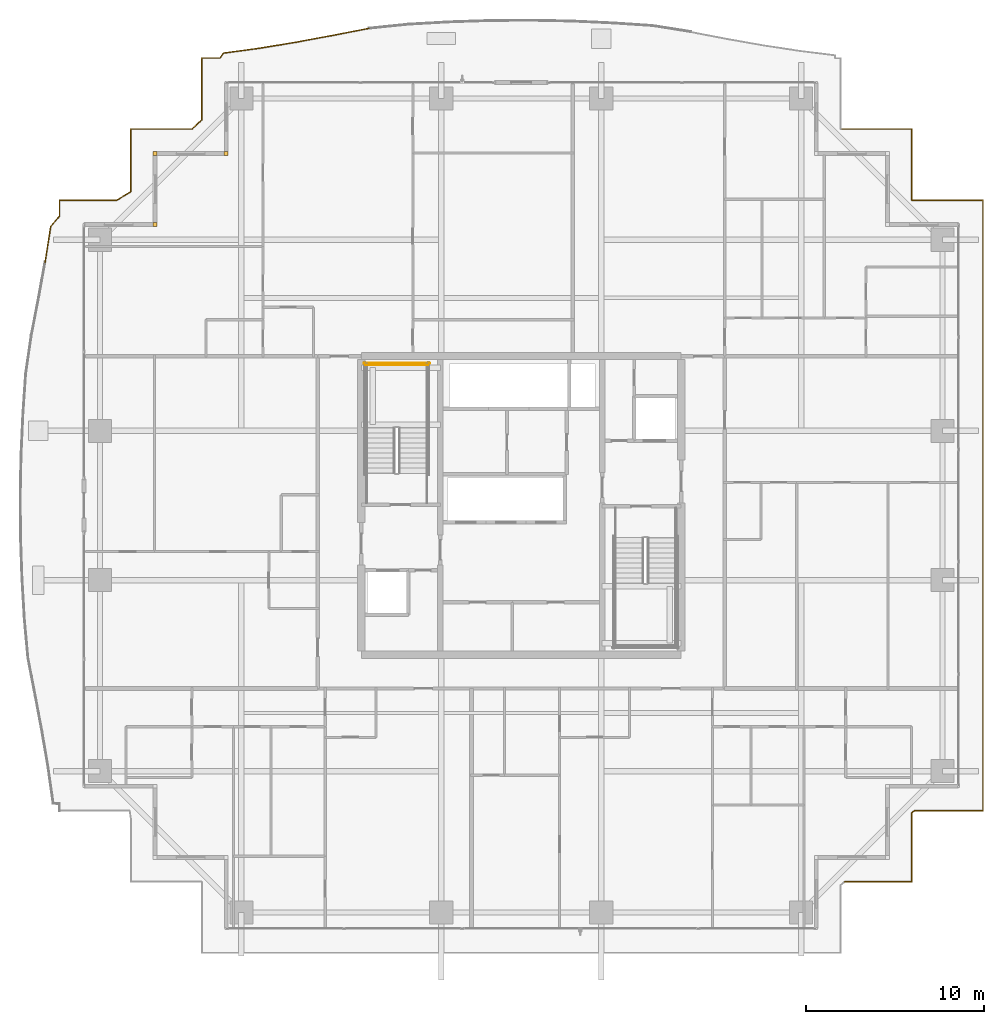
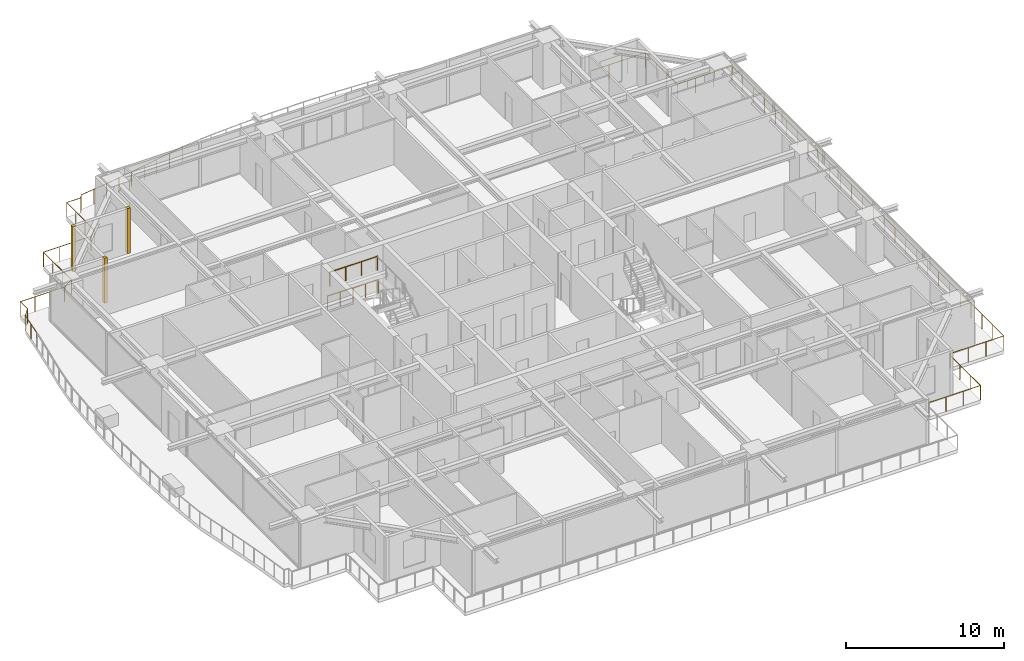
# One storey, part 38 of 39: 5 railings, 3 coverings.
"""IFC4 building model written with IfcOpenShell, lengths in metres."""

import ifcopenshell
import ifcopenshell.guid

model = None  # the IFC model being written
_history = None  # IfcOwnerHistory: only IFC2X3 demands one
_inside = {}  # id of a spatial element -> (the spatial element, [elements in it])
_under = {}  # id of a project, library or spatial element -> (it, [spatial elements below it])
_declared = {}  # id of a project -> (the project, [libraries it declares])
_typed = {}  # id of a type object -> (the type object, [elements of that type])
_made_of = {}  # id of a material, layer set ... -> (it, [elements and type objects made of it])


def new_model(schema):
    """Start an empty IFC model of exactly this schema.

    Asked for "IFC4X3", IfcOpenShell would pick the latest addendum, in which some entities
    have other attributes; the version numbers below select the first issue.
    IFC2X3 requires an IfcOwnerHistory on every rooted entity: one is made here for all.
    """
    global model, _history
    if schema == "IFC4X3":
        model = ifcopenshell.file(schema_version=(4, 3, 0, 0))
    else:
        model = ifcopenshell.file(schema=schema)
    _inside.clear()
    _under.clear()
    _declared.clear()
    _typed.clear()
    _made_of.clear()
    _history = None
    if model.schema == "IFC2X3":
        org = make("IfcOrganization", Name="unknown")
        user = make(
            "IfcPersonAndOrganization",
            ThePerson=make("IfcPerson", FamilyName="unknown"),
            TheOrganization=org,
        )
        app = make(
            "IfcApplication",
            ApplicationDeveloper=org,
            Version="unknown",
            ApplicationFullName="unknown",
            ApplicationIdentifier="unknown",
        )
        _history = make(
            "IfcOwnerHistory",
            OwningUser=user,
            OwningApplication=app,
            ChangeAction="ADDED",
            CreationDate=0,
        )
    return model


def make(cls, **values):
    """One entity of the class cls with the attributes given. An attribute that is None is left unset."""
    return model.create_entity(
        cls, **{name: value for name, value in values.items() if value is not None}
    )


def rooted(cls, **values):
    """An entity with a GlobalId (a new one), such as an element, a storey or a relation."""
    return make(cls, GlobalId=ifcopenshell.guid.new(), OwnerHistory=_history, **values)


def si_unit(unit_type, name, prefix=None):
    """IfcSIUnit, for example si_unit("LENGTHUNIT", "METRE", prefix="MILLI")."""
    return make("IfcSIUnit", UnitType=unit_type, Prefix=prefix, Name=name)


def assignment(units):
    """IfcUnitAssignment: the units of a project."""
    return None if units is None else make("IfcUnitAssignment", Units=units)


def point(xyz):
    """IfcCartesianPoint."""
    return None if xyz is None else make("IfcCartesianPoint", Coordinates=xyz)


def direction(xyz):
    """IfcDirection."""
    return None if xyz is None else make("IfcDirection", DirectionRatios=xyz)


def frame(location, z_axis=None, x_axis=None):
    """IfcAxis2Placement3D, a coordinate frame: its origin and axes. An axis left out is left unset."""
    return make(
        "IfcAxis2Placement3D",
        Location=point(location),
        Axis=direction(z_axis),
        RefDirection=direction(x_axis),
    )


def frame_2d(location, x_axis=None):
    """IfcAxis2Placement2D, a coordinate frame in the plane: its origin and x axis."""
    return make(
        "IfcAxis2Placement2D", Location=point(location), RefDirection=direction(x_axis)
    )


def origin():
    """The frame at (0, 0, 0) with its axes left unset."""
    return frame((0.0, 0.0, 0.0))


def origin_2d():
    """The frame at (0, 0) in the plane with its x axis left unset."""
    return frame_2d((0.0, 0.0))


def place(relative_to, where):
    """IfcLocalPlacement: puts the frame where relative to a parent placement (None: the world)."""
    return make(
        "IfcLocalPlacement", PlacementRelTo=relative_to, RelativePlacement=where
    )


def context(
    kind, dimensions, precision=None, world=None, true_north=None, identifier=None
):
    """IfcGeometricRepresentationContext, for example the 3D "Model" context."""
    return make(
        "IfcGeometricRepresentationContext",
        ContextIdentifier=identifier,
        ContextType=kind,
        CoordinateSpaceDimension=dimensions,
        Precision=precision,
        WorldCoordinateSystem=world,
        TrueNorth=true_north,
    )


def subcontext(parent, identifier, kind, view, scale=None):
    """IfcGeometricRepresentationSubContext, for example "Body" below "Model"."""
    return make(
        "IfcGeometricRepresentationSubContext",
        ContextIdentifier=identifier,
        ContextType=kind,
        ParentContext=parent,
        TargetScale=scale,
        TargetView=view,
    )


def project(units=None, contexts=None):
    """IfcProject with its units and contexts."""
    return rooted(
        "IfcProject",
        Name="project",
        RepresentationContexts=contexts,
        UnitsInContext=assignment(units),
    )


def spatial(cls, under=None, at=None, **own):
    """A site, building, storey or space (cls), placed at a placement, below another one or the project."""
    s = rooted(cls, ObjectPlacement=at, **own)
    if under is not None:
        _under.setdefault(under.id(), (under, []))[1].append(s)
    return s


def profile(cls, at=None, kind="AREA", **sizes):
    """A parametric profile (cls). Its sizes go by their IFC names, for example OverallWidth=200.0."""
    return make(cls, ProfileType=kind, Position=at, **sizes)


def rectangle(**sizes):
    """IfcRectangleProfileDef."""
    return profile("IfcRectangleProfileDef", **sizes)


def circle(**sizes):
    """IfcCircleProfileDef."""
    return profile("IfcCircleProfileDef", **sizes)


def extrude(swept, where, along, depth):
    """IfcExtrudedAreaSolid: the profile swept, set in the frame where, extruded along a direction by depth."""
    return make(
        "IfcExtrudedAreaSolid",
        SweptArea=swept,
        Position=where,
        ExtrudedDirection=direction(along),
        Depth=depth,
    )


def shape(context_of_items, identifier, shape_type, items):
    """IfcShapeRepresentation: the items that make up one representation, for example the "Body"."""
    return make(
        "IfcShapeRepresentation",
        ContextOfItems=context_of_items,
        RepresentationIdentifier=identifier,
        RepresentationType=shape_type,
        Items=items,
    )


def source(mapping_origin, context_of_items, identifier, shape_type, items):
    """IfcRepresentationMap: a shape defined once, which mapped items show again and again."""
    return make(
        "IfcRepresentationMap",
        MappingOrigin=mapping_origin,
        MappedRepresentation=shape(context_of_items, identifier, shape_type, items),
    )


def transform(
    local_origin,
    x_axis=None,
    y_axis=None,
    z_axis=None,
    scale=None,
    scale2=None,
    scale3=None,
    uniform=True,
):
    """IfcCartesianTransformationOperator3D, or its non-uniform kind. x_axis, y_axis, z_axis: its Axis1, 2, 3."""
    if uniform:
        return make(
            "IfcCartesianTransformationOperator3D",
            Axis1=direction(x_axis),
            Axis2=direction(y_axis),
            LocalOrigin=point(local_origin),
            Scale=scale,
            Axis3=direction(z_axis),
        )
    return make(
        "IfcCartesianTransformationOperator3DnonUniform",
        Axis1=direction(x_axis),
        Axis2=direction(y_axis),
        LocalOrigin=point(local_origin),
        Scale=scale,
        Axis3=direction(z_axis),
        Scale2=scale2,
        Scale3=scale3,
    )


def mapped(mapping_source, mapping_target):
    """IfcMappedItem: shows the shape of a source again, moved by a transform."""
    return make(
        "IfcMappedItem", MappingSource=mapping_source, MappingTarget=mapping_target
    )


def material(Name=None, Category=None):
    """IfcMaterial."""
    return make("IfcMaterial", Name=Name, Category=Category)


def layer(
    of_material, thickness, ventilated=None, Name=None, Category=None, Priority=None
):
    """IfcMaterialLayer: one layer of a wall or slab, of a material (None: an air gap)."""
    return make(
        "IfcMaterialLayer",
        Material=of_material,
        LayerThickness=thickness,
        IsVentilated=ventilated,
        Name=Name,
        Category=Category,
        Priority=Priority,
    )


def layer_set(layers, Name=None):
    """IfcMaterialLayerSet."""
    return make("IfcMaterialLayerSet", MaterialLayers=layers, LayerSetName=Name)


def made_of(thing, what):
    """Note that an element or type object is made of a material, layer set ...; save() writes the relation."""
    if what is not None:
        _made_of.setdefault(what.id(), (what, []))[1].append(thing)
    return thing


def type_object(cls, material=None, **own):
    """A type object (cls), such as IfcWallType, which elements share."""
    return made_of(rooted(cls, **own), material)


def element(
    cls,
    number,
    at=None,
    inside=None,
    cuts=None,
    type_object=None,
    material=None,
    context=None,
    identifier="Body",
    shape_type=None,
    held_by="IfcProductDefinitionShape",
    body=None,
    shapes=None,
    **own,
):
    """One element of the class cls, such as IfcWall. Its Tag is "e" and its number.

    at: its placement. inside: the storey or other place that contains it. cuts: it is an
    opening in that element (IfcRelVoidsElement). A single representation is given by context,
    identifier, shape_type and body (its items); several are given by shapes. held_by: the class
    of the entity that holds the representations. save() writes the other relations.
    """
    e = rooted(cls, Tag="e%d" % number, ObjectPlacement=at, **own)
    if body is not None:
        shapes = [shape(context, identifier, shape_type, body)]
    if shapes is not None:
        e.Representation = make(held_by, Representations=shapes)
    if inside is not None:
        _inside.setdefault(inside.id(), (inside, []))[1].append(e)
    if cuts is not None:
        rooted(
            "IfcRelVoidsElement", RelatingBuildingElement=cuts, RelatedOpeningElement=e
        )
    if type_object is not None:
        _typed.setdefault(type_object.id(), (type_object, []))[1].append(e)
    return made_of(e, material)


def aggregate(whole, parts):
    """IfcRelAggregates: a whole, such as a stair, and the parts it consists of."""
    return rooted("IfcRelAggregates", RelatingObject=whole, RelatedObjects=parts)


def save(model, path):
    """Write the relations noted so far, then the file.

    IfcRelAggregates (storeys below a building ...), IfcRelContainedInSpatialStructure (elements
    in a storey), IfcRelDefinesByType, IfcRelAssociatesMaterial and IfcRelDeclares: one each for
    every whole, place, type object, material and project.
    """
    for whole, parts in _under.values():
        aggregate(whole, parts)
    for where, things in _inside.values():
        rooted(
            "IfcRelContainedInSpatialStructure",
            RelatedElements=things,
            RelatingStructure=where,
        )
    for kind, things in _typed.values():
        rooted("IfcRelDefinesByType", RelatedObjects=things, RelatingType=kind)
    for what, things in _made_of.values():
        rooted("IfcRelAssociatesMaterial", RelatedObjects=things, RelatingMaterial=what)
    for by, libraries in _declared.values():
        rooted("IfcRelDeclares", RelatingContext=by, RelatedDefinitions=libraries)
    model.write(path)


model = new_model("IFC4")

# Units and contexts
model_context = context("Model", 3, precision=1e-05, world=origin(), true_north=direction((0.0, 1.0)))
body_context = subcontext(model_context, "Body", "Model", "MODEL_VIEW")
ifc_project = project(units=[si_unit("LENGTHUNIT", "METRE"), si_unit("AREAUNIT", "SQUARE_METRE"), si_unit("VOLUMEUNIT", "CUBIC_METRE"), si_unit("PLANEANGLEUNIT", "RADIAN"), si_unit("MASSUNIT", "GRAM", prefix="KILO")], contexts=[model_context])

# Site, building, storey
site_placement = place(None, origin())
site = spatial("IfcSite", under=ifc_project, at=site_placement, CompositionType="ELEMENT")
building_placement = place(site_placement, origin())
building = spatial("IfcBuilding", under=site, at=building_placement, Name="Serunith Strait Residences", CompositionType="ELEMENT")
storey_placement = place(building_placement, frame((0.0, 0.0, 168.89990234375)))
storey = spatial("IfcBuildingStorey", under=building, at=storey_placement, Name="L42", CompositionType="ELEMENT", Elevation=168.89990234375)

# Railings
ifc_material_1 = material(Name="Stainless Steel & Laminated Glass Balustrade", Category="steel")
railing_type_1 = type_object("IfcRailingType", Name="RLG-BALC-1150", PredefinedType="BALUSTRADE", material=ifc_material_1)
railing_1_placement = place(storey_placement, frame((5.609130859375, 38.885986328125, -0.0498046875)))
element("IfcRailing", 1, at=railing_1_placement, inside=storey, type_object=railing_type_1, Name="L42 Swirling Balcony Perimeter Balustrade 3", PredefinedType="BALUSTRADE", context=body_context, shape_type="SweptSolid", body=[
    extrude(circle(Radius=0.02392578125, at=origin_2d()), frame((0.000244140625, 0.001953125, 1.1259765625), z_axis=(0.155222771121, 0.987879492309, 0.0), x_axis=(-0.987879492309, 0.155222771121, 0.0)), (0.0, 0.0, 1.0), 2.02978515625),
    extrude(circle(Radius=0.02392578125, at=origin_2d()), frame((0.31689453125, 2.010498046875, 1.1259765625), z_axis=(0.650949961754, 0.759120640803, 0.0), x_axis=(-0.759120640803, 0.650949961754, 0.0)), (0.0, 0.0, 1.0), 0.756591796875),
    extrude(circle(Radius=0.02392578125, at=origin_2d()), frame((0.810791015625, 2.58837890625, 1.1259765625), z_axis=(0.0, 1.0, 0.0), x_axis=(-1.0, 0.0, 0.0)), (0.0, 0.0, 1.0), 0.903564453125),
    extrude(circle(Radius=0.02392578125, at=origin_2d()), frame((0.812744140625, 3.493896484375, 1.1259765625), z_axis=(1.0, 0.0, 0.0), x_axis=(0.0, 1.0, 0.0)), (0.0, 0.0, 1.0), 3.221435546875),
    extrude(circle(Radius=0.02392578125, at=origin_2d()), frame((4.037841796875, 3.494873046875, 1.1259765625), z_axis=(0.859137004539, 0.511745647204, 0.0), x_axis=(-0.511745647204, 0.859137004539, 0.0)), (0.0, 0.0, 1.0), 0.897705078125),
    extrude(circle(Radius=0.02392578125, at=origin_2d()), frame((4.810791015625, 3.957275390625, 1.1259765625), z_axis=(0.0, 1.0, 0.0), x_axis=(-1.0, 0.0, 0.0)), (0.0, 0.0, 1.0), 3.53466796875),
    extrude(circle(Radius=0.02392578125, at=origin_2d()), frame((4.812744140625, 7.493896484375, 1.1259765625), z_axis=(1.0, 0.0, 0.0), x_axis=(0.0, 1.0, 0.0)), (0.0, 0.0, 1.0), 3.460205078125),
    extrude(circle(Radius=0.02099609375, at=origin_2d()), origin(), (0.0, 0.0, 1.0), 1.099853515625),
    extrude(circle(Radius=0.02099609375, at=origin_2d()), frame((0.15771484375, 1.00439453125, 0.0)), (0.0, 0.0, 1.0), 1.099853515625),
    extrude(circle(Radius=0.02099609375, at=origin_2d()), frame((0.315673828125, 2.009033203125, 0.0)), (0.0, 0.0, 1.0), 1.099853515625),
    extrude(circle(Radius=0.02099609375, at=origin_2d()), frame((0.810791015625, 2.58642578125, 0.0)), (0.0, 0.0, 1.0), 1.099853515625),
    extrude(circle(Radius=0.02099609375, at=origin_2d()), frame((0.810791015625, 3.493896484375, 0.0)), (0.0, 0.0, 1.0), 1.099853515625),
    extrude(circle(Radius=0.02099609375, at=origin_2d()), frame((1.885986328125, 3.493896484375, 0.0)), (0.0, 0.0, 1.0), 1.099853515625),
    extrude(circle(Radius=0.02099609375, at=origin_2d()), frame((2.9609375, 3.493896484375, 0.0)), (0.0, 0.0, 1.0), 1.099853515625),
    extrude(circle(Radius=0.02099609375, at=origin_2d()), frame((4.0361328125, 3.493896484375, 0.0)), (0.0, 0.0, 1.0), 1.099853515625),
    extrude(circle(Radius=0.02099609375, at=origin_2d()), frame((4.810791015625, 3.955322265625, 0.0)), (0.0, 0.0, 1.0), 1.099853515625),
    extrude(circle(Radius=0.02099609375, at=origin_2d()), frame((4.810791015625, 5.134765625, 0.0)), (0.0, 0.0, 1.0), 1.099853515625),
    extrude(circle(Radius=0.02099609375, at=origin_2d()), frame((4.810791015625, 6.314453125, 0.0)), (0.0, 0.0, 1.0), 1.099853515625),
    extrude(circle(Radius=0.02099609375, at=origin_2d()), frame((4.810791015625, 7.493896484375, 0.0)), (0.0, 0.0, 1.0), 1.099853515625),
    extrude(circle(Radius=0.02099609375, at=origin_2d()), frame((5.965576171875, 7.493896484375, 0.0)), (0.0, 0.0, 1.0), 1.099853515625),
    extrude(circle(Radius=0.02099609375, at=origin_2d()), frame((7.1201171875, 7.493896484375, 0.0)), (0.0, 0.0, 1.0), 1.099853515625),
    extrude(circle(Radius=0.02099609375, at=origin_2d()), frame((8.27490234375, 7.493896484375, 0.0)), (0.0, 0.0, 1.0), 1.099853515625),
])
railing_2_placement = place(storey_placement, frame((13.884033203125, 46.3798828125, -0.0498046875)))
element("IfcRailing", 2, at=railing_2_placement, inside=storey, type_object=railing_type_1, Name="L42 Swirling Balcony Perimeter Balustrade 4", PredefinedType="BALUSTRADE", context=body_context, shape_type="SweptSolid", body=[
    extrude(circle(Radius=0.02392578125, at=origin_2d()), frame((0.00146484375, 0.00146484375, 1.1259765625), z_axis=(0.721748617989, 0.692155280577, 0.0), x_axis=(-0.692155280577, 0.721748617989, 0.0)), (0.0, 0.0, 1.0), 0.738525390625),
    extrude(circle(Radius=0.02392578125, at=origin_2d()), frame((0.535888671875, 0.515869140625, 1.1259765625), z_axis=(0.0, 1.0, 0.0), x_axis=(-1.0, 0.0, 0.0)), (0.0, 0.0, 1.0), 3.482177734375),
    extrude(circle(Radius=0.02392578125, at=origin_2d()), frame((0.537841796875, 4.0, 1.1259765625), z_axis=(1.0, 0.0, 0.0), x_axis=(0.0, 1.0, 0.0)), (0.0, 0.0, 1.0), 1.028564453125),
    extrude(circle(Radius=0.02392578125, at=origin_2d()), frame((1.569580078125, 4.001708984375, 1.1259765625), z_axis=(0.583107622674, 0.812394916515, 0.0), x_axis=(-0.812394916515, 0.583107622674, 0.0)), (0.0, 0.0, 1.0), 0.329345703125),
    extrude(circle(Radius=0.02392578125, at=origin_2d()), frame((1.7646484375, 4.27099609375, 1.1259765625), z_axis=(0.990799230666, 0.135339885146, 0.0), x_axis=(-0.135339885146, 0.990799230666, 0.0)), (0.0, 0.0, 1.0), 2.0146484375),
    extrude(circle(Radius=0.02392578125, at=origin_2d()), frame((3.7646484375, 4.544189453125, 1.1259765625), z_axis=(0.986848278666, 0.161649234129, 0.0), x_axis=(-0.161649234129, 0.986848278666, 0.0)), (0.0, 0.0, 1.0), 2.041015625),
    extrude(circle(Radius=0.02392578125, at=origin_2d()), frame((5.78271484375, 4.874755859375, 1.1259765625), z_axis=(0.983281229933, 0.18209344541, 0.0), x_axis=(-0.18209344541, 0.983281229933, 0.0)), (0.0, 0.0, 1.0), 2.0849609375),
    extrude(circle(Radius=0.02392578125, at=origin_2d()), frame((7.836669921875, 5.25537109375, 1.1259765625), z_axis=(0.981899315337, 0.189403628635, 0.0), x_axis=(-0.189403628635, 0.981899315337, 0.0)), (0.0, 0.0, 1.0), 2.144775390625),
    extrude(circle(Radius=0.02099609375, at=origin_2d()), origin(), (0.0, 0.0, 1.0), 1.099853515625),
    extrude(circle(Radius=0.02099609375, at=origin_2d()), frame((0.535888671875, 0.513916015625, 0.0)), (0.0, 0.0, 1.0), 1.099853515625),
    extrude(circle(Radius=0.02099609375, at=origin_2d()), frame((0.535888671875, 1.676025390625, 0.0)), (0.0, 0.0, 1.0), 1.099853515625),
    extrude(circle(Radius=0.02099609375, at=origin_2d()), frame((0.535888671875, 2.837890625, 0.0)), (0.0, 0.0, 1.0), 1.099853515625),
    extrude(circle(Radius=0.02099609375, at=origin_2d()), frame((0.535888671875, 4.0, 0.0)), (0.0, 0.0, 1.0), 1.099853515625),
    extrude(circle(Radius=0.02099609375, at=origin_2d()), frame((1.568359375, 4.0, 0.0)), (0.0, 0.0, 1.0), 1.099853515625),
    extrude(circle(Radius=0.02099609375, at=origin_2d()), frame((1.7626953125, 4.270751953125, 0.0)), (0.0, 0.0, 1.0), 1.099853515625),
    extrude(circle(Radius=0.02099609375, at=origin_2d()), frame((2.7626953125, 4.4072265625, 0.0)), (0.0, 0.0, 1.0), 1.099853515625),
    extrude(circle(Radius=0.02099609375, at=origin_2d()), frame((3.7626953125, 4.5439453125, 0.0)), (0.0, 0.0, 1.0), 1.099853515625),
    extrude(circle(Radius=0.02099609375, at=origin_2d()), frame((4.771728515625, 4.709228515625, 0.0)), (0.0, 0.0, 1.0), 1.099853515625),
    extrude(circle(Radius=0.02099609375, at=origin_2d()), frame((5.78076171875, 4.87451171875, 0.0)), (0.0, 0.0, 1.0), 1.099853515625),
    extrude(circle(Radius=0.02099609375, at=origin_2d()), frame((6.8076171875, 5.064697265625, 0.0)), (0.0, 0.0, 1.0), 1.099853515625),
    extrude(circle(Radius=0.02099609375, at=origin_2d()), frame((7.834716796875, 5.2548828125, 0.0)), (0.0, 0.0, 1.0), 1.099853515625),
    extrude(circle(Radius=0.02099609375, at=origin_2d()), frame((8.8896484375, 5.45849609375, 0.0)), (0.0, 0.0, 1.0), 1.099853515625),
    extrude(circle(Radius=0.02099609375, at=origin_2d()), frame((9.944580078125, 5.661865234375, 0.0)), (0.0, 0.0, 1.0), 1.099853515625),
])
railing_3_placement = place(storey_placement, frame((50.3798828125, 46.3798828125, -0.0498046875)))
element("IfcRailing", 3, at=railing_3_placement, inside=storey, type_object=railing_type_1, Name="L42 Swirling Balcony Perimeter Balustrade 7", PredefinedType="BALUSTRADE", context=body_context, shape_type="SweptSolid", body=[
    extrude(circle(Radius=0.02392578125, at=origin_2d()), frame((0.001953125, 0.0, 1.1259765625), z_axis=(1.0, 0.0, 0.0), x_axis=(0.0, 1.0, 0.0)), (0.0, 0.0, 1.0), 3.99609375),
    extrude(circle(Radius=0.02392578125, at=origin_2d()), frame((4.0, -0.001953125, 1.1259765625), z_axis=(0.0, -1.0, 0.0), x_axis=(1.0, 0.0, 0.0)), (0.0, 0.0, 1.0), 3.99609375),
    extrude(circle(Radius=0.02392578125, at=origin_2d()), frame((4.001953125, -4.0, 1.1259765625), z_axis=(1.0, 0.0, 0.0), x_axis=(0.0, 1.0, 0.0)), (0.0, 0.0, 1.0), 3.99609375),
    extrude(circle(Radius=0.02392578125, at=origin_2d()), frame((8.0, -4.001953125, 1.1259765625), z_axis=(0.0, -1.0, 0.0), x_axis=(1.0, 0.0, 0.0)), (0.0, 0.0, 1.0), 34.35595703125),
    extrude(circle(Radius=0.02392578125, at=origin_2d()), frame((7.998046875, -38.35986328125, 1.1259765625), z_axis=(-1.0, 0.0, 0.0), x_axis=(0.0, -1.0, 0.0)), (0.0, 0.0, 1.0), 3.86083984375),
    extrude(circle(Radius=0.02392578125, at=origin_2d()), frame((4.133544921875, -38.361083984375, 1.1259765625), z_axis=(-0.809367380782, -0.587302684249, 0.0), x_axis=(0.587302684249, -0.809367380782, 0.0)), (0.0, 0.0, 1.0), 0.1630859375),
    extrude(circle(Radius=0.02392578125, at=origin_2d()), frame((4.0, -38.4599609375, 1.1259765625), z_axis=(0.0, -1.0, 0.0), x_axis=(1.0, 0.0, 0.0)), (0.0, 0.0, 1.0), 3.89794921875),
    extrude(circle(Radius=0.02392578125, at=origin_2d()), frame((3.998046875, -42.35986328125, 1.1259765625), z_axis=(-1.0, 0.0, 0.0), x_axis=(0.0, -1.0, 0.0)), (0.0, 0.0, 1.0), 3.774169921875),
    extrude(circle(Radius=0.02099609375, at=origin_2d()), origin(), (0.0, 0.0, 1.0), 1.099853515625),
    extrude(circle(Radius=0.02099609375, at=origin_2d()), frame((1.333251953125, 0.0, 0.0)), (0.0, 0.0, 1.0), 1.099853515625),
    extrude(circle(Radius=0.02099609375, at=origin_2d()), frame((2.666748046875, 0.0, 0.0)), (0.0, 0.0, 1.0), 1.099853515625),
    extrude(circle(Radius=0.02099609375, at=origin_2d()), frame((4.0, 0.0, 0.0)), (0.0, 0.0, 1.0), 1.099853515625),
    extrude(circle(Radius=0.02099609375, at=origin_2d()), frame((4.0, -1.333251953125, 0.0)), (0.0, 0.0, 1.0), 1.099853515625),
    extrude(circle(Radius=0.02099609375, at=origin_2d()), frame((4.0, -2.666748046875, 0.0)), (0.0, 0.0, 1.0), 1.099853515625),
    extrude(circle(Radius=0.02099609375, at=origin_2d()), frame((4.0, -4.0, 0.0)), (0.0, 0.0, 1.0), 1.099853515625),
    extrude(circle(Radius=0.02099609375, at=origin_2d()), frame((5.333251953125, -4.0, 0.0)), (0.0, 0.0, 1.0), 1.099853515625),
    extrude(circle(Radius=0.02099609375, at=origin_2d()), frame((6.666748046875, -4.0, 0.0)), (0.0, 0.0, 1.0), 1.099853515625),
    extrude(circle(Radius=0.02099609375, at=origin_2d()), frame((8.0, -4.0, 0.0)), (0.0, 0.0, 1.0), 1.099853515625),
    extrude(circle(Radius=0.02099609375, at=origin_2d()), frame((8.0, -5.37451171875, 0.0)), (0.0, 0.0, 1.0), 1.099853515625),
    extrude(circle(Radius=0.02099609375, at=origin_2d()), frame((8.0, -6.748779296875, 0.0)), (0.0, 0.0, 1.0), 1.099853515625),
    extrude(circle(Radius=0.02099609375, at=origin_2d()), frame((8.0, -8.123291015625, 0.0)), (0.0, 0.0, 1.0), 1.099853515625),
    extrude(circle(Radius=0.02099609375, at=origin_2d()), frame((8.0, -9.49755859375, 0.0)), (0.0, 0.0, 1.0), 1.099853515625),
    extrude(circle(Radius=0.02099609375, at=origin_2d()), frame((8.0, -10.8720703125, 0.0)), (0.0, 0.0, 1.0), 1.099853515625),
    extrude(circle(Radius=0.02099609375, at=origin_2d()), frame((8.0, -12.246337890625, 0.0)), (0.0, 0.0, 1.0), 1.099853515625),
    extrude(circle(Radius=0.02099609375, at=origin_2d()), frame((8.0, -13.620849609375, 0.0)), (0.0, 0.0, 1.0), 1.099853515625),
    extrude(circle(Radius=0.02099609375, at=origin_2d()), frame((8.0, -14.9951171875, 0.0)), (0.0, 0.0, 1.0), 1.099853515625),
    extrude(circle(Radius=0.02099609375, at=origin_2d()), frame((8.0, -16.36962890625, 0.0)), (0.0, 0.0, 1.0), 1.099853515625),
    extrude(circle(Radius=0.02099609375, at=origin_2d()), frame((8.0, -17.743896484375, 0.0)), (0.0, 0.0, 1.0), 1.099853515625),
    extrude(circle(Radius=0.02099609375, at=origin_2d()), frame((8.0, -19.118408203125, 0.0)), (0.0, 0.0, 1.0), 1.099853515625),
    extrude(circle(Radius=0.02099609375, at=origin_2d()), frame((8.0, -20.49267578125, 0.0)), (0.0, 0.0, 1.0), 1.099853515625),
    extrude(circle(Radius=0.02099609375, at=origin_2d()), frame((8.0, -21.8671875, 0.0)), (0.0, 0.0, 1.0), 1.099853515625),
    extrude(circle(Radius=0.02099609375, at=origin_2d()), frame((8.0, -23.241455078125, 0.0)), (0.0, 0.0, 1.0), 1.099853515625),
    extrude(circle(Radius=0.02099609375, at=origin_2d()), frame((8.0, -24.615966796875, 0.0)), (0.0, 0.0, 1.0), 1.099853515625),
    extrude(circle(Radius=0.02099609375, at=origin_2d()), frame((8.0, -25.990234375, 0.0)), (0.0, 0.0, 1.0), 1.099853515625),
    extrude(circle(Radius=0.02099609375, at=origin_2d()), frame((8.0, -27.36474609375, 0.0)), (0.0, 0.0, 1.0), 1.099853515625),
    extrude(circle(Radius=0.02099609375, at=origin_2d()), frame((8.0, -28.739013671875, 0.0)), (0.0, 0.0, 1.0), 1.099853515625),
    extrude(circle(Radius=0.02099609375, at=origin_2d()), frame((8.0, -30.113525390625, 0.0)), (0.0, 0.0, 1.0), 1.099853515625),
    extrude(circle(Radius=0.02099609375, at=origin_2d()), frame((8.0, -31.48779296875, 0.0)), (0.0, 0.0, 1.0), 1.099853515625),
    extrude(circle(Radius=0.02099609375, at=origin_2d()), frame((8.0, -32.8623046875, 0.0)), (0.0, 0.0, 1.0), 1.099853515625),
    extrude(circle(Radius=0.02099609375, at=origin_2d()), frame((8.0, -34.236572265625, 0.0)), (0.0, 0.0, 1.0), 1.099853515625),
    extrude(circle(Radius=0.02099609375, at=origin_2d()), frame((8.0, -35.611083984375, 0.0)), (0.0, 0.0, 1.0), 1.099853515625),
    extrude(circle(Radius=0.02099609375, at=origin_2d()), frame((8.0, -36.9853515625, 0.0)), (0.0, 0.0, 1.0), 1.099853515625),
    extrude(circle(Radius=0.02099609375, at=origin_2d()), frame((8.0, -38.35986328125, 0.0)), (0.0, 0.0, 1.0), 1.099853515625),
    extrude(circle(Radius=0.02099609375, at=origin_2d()), frame((6.711669921875, -38.35986328125, 0.0)), (0.0, 0.0, 1.0), 1.099853515625),
    extrude(circle(Radius=0.02099609375, at=origin_2d()), frame((5.423583984375, -38.35986328125, 0.0)), (0.0, 0.0, 1.0), 1.099853515625),
    extrude(circle(Radius=0.02099609375, at=origin_2d()), frame((4.13525390625, -38.35986328125, 0.0)), (0.0, 0.0, 1.0), 1.099853515625),
    extrude(circle(Radius=0.02099609375, at=origin_2d()), frame((4.0, -38.4580078125, 0.0)), (0.0, 0.0, 1.0), 1.099853515625),
    extrude(circle(Radius=0.02099609375, at=origin_2d()), frame((4.0, -39.758544921875, 0.0)), (0.0, 0.0, 1.0), 1.099853515625),
    extrude(circle(Radius=0.02099609375, at=origin_2d()), frame((4.0, -41.059326171875, 0.0)), (0.0, 0.0, 1.0), 1.099853515625),
    extrude(circle(Radius=0.02099609375, at=origin_2d()), frame((4.0, -42.35986328125, 0.0)), (0.0, 0.0, 1.0), 1.099853515625),
    extrude(circle(Radius=0.02099609375, at=origin_2d()), frame((2.74072265625, -42.35986328125, 0.0)), (0.0, 0.0, 1.0), 1.099853515625),
    extrude(circle(Radius=0.02099609375, at=origin_2d()), frame((1.481201171875, -42.35986328125, 0.0)), (0.0, 0.0, 1.0), 1.099853515625),
    extrude(circle(Radius=0.02099609375, at=origin_2d()), frame((0.221923828125, -42.35986328125, 0.0)), (0.0, 0.0, 1.0), 1.099853515625),
])
ifc_material_2 = material(Name="Brushed stainless steel 316L", Category="steel")
railing_type_2 = type_object("IfcRailingType", Name="RLG-STAIR-GUARD", PredefinedType="BALUSTRADE", material=ifc_material_2)
railing_4_placement = place(storey_placement, frame((27.14990234375, 33.10009765625, 1.875)))
element("IfcRailing", 4, at=railing_4_placement, inside=storey, type_object=railing_type_2, Name="L42 ST-1 stair guard 5", PredefinedType="BALUSTRADE", context=body_context, shape_type="SweptSolid", body=[
    extrude(circle(Radius=0.02392578125, at=origin_2d()), frame((-0.001953125, 0.0, 1.076171875), z_axis=(-1.0, 0.0, 0.0), x_axis=(0.0, -1.0, 0.0)), (0.0, 0.0, 1.0), 3.49609375),
    extrude(circle(Radius=0.02099609375, at=origin_2d()), origin(), (0.0, 0.0, 1.0), 1.050048828125),
    extrude(circle(Radius=0.02099609375, at=origin_2d()), frame((-1.166748046875, 0.0, 0.0)), (0.0, 0.0, 1.0), 1.050048828125),
    extrude(circle(Radius=0.02099609375, at=origin_2d()), frame((-2.333251953125, 0.0, 0.0)), (0.0, 0.0, 1.0), 1.050048828125),
    extrude(circle(Radius=0.02099609375, at=origin_2d()), frame((-3.5, 0.0, 0.0)), (0.0, 0.0, 1.0), 1.050048828125),
])
railing_5_placement = place(storey_placement, frame((27.25, 33.199951171875, 0.0)))
element("IfcRailing", 5, at=railing_5_placement, inside=storey, type_object=railing_type_2, Name="L42 ST-1 stair guard 12", PredefinedType="BALUSTRADE", context=body_context, shape_type="SweptSolid", body=[
    extrude(circle(Radius=0.02392578125, at=origin_2d()), frame((-0.001953125, 0.0, 1.076171875), z_axis=(-1.0, 0.0, 0.0), x_axis=(0.0, -1.0, 0.0)), (0.0, 0.0, 1.0), 3.696044921875),
    extrude(circle(Radius=0.02099609375, at=origin_2d()), origin(), (0.0, 0.0, 1.0), 1.050048828125),
    extrude(circle(Radius=0.02099609375, at=origin_2d()), frame((-0.925048828125, 0.0, 0.0)), (0.0, 0.0, 1.0), 1.050048828125),
    extrude(circle(Radius=0.02099609375, at=origin_2d()), frame((-1.85009765625, 0.0, 0.0)), (0.0, 0.0, 1.0), 1.050048828125),
    extrude(circle(Radius=0.02099609375, at=origin_2d()), frame((-2.77490234375, 0.0, 0.0)), (0.0, 0.0, 1.0), 1.050048828125),
    extrude(circle(Radius=0.02099609375, at=origin_2d()), frame((-3.699951171875, 0.0, 0.0)), (0.0, 0.0, 1.0), 1.050048828125),
])

# Coverings
ifc_material_3 = material(Name="Pale-Champagne Anodised Aluminium", Category="aluminium")
ifc_layer = layer(ifc_material_3, 0.219970703125, Name="Pale-Champagne Anodised Aluminium")
ifc_layer_set = layer_set([ifc_layer], Name="Pale-Champagne Anodised Aluminium")
covering_type = type_object("IfcCoveringType", Name="COV-CORN-TRIM", PredefinedType="CLADDING", material=ifc_layer_set)
shared_shape = source(origin(), body_context, "Body", "SweptSolid", [
    extrude(rectangle(XDim=0.221923828125, YDim=0.221923828125, at=origin_2d()), origin(), (0.0, 0.0, 1.0), 3.47509765625),
])
for number, where, z_axis, x_axis, name in (
    (6, (15.800048828125, 45.0, 0.0), (0.0, 0.0, 1.0), (1.0, 0.0, 0.0), "L42 Girih Serrated Corner Trim Post 12"),
    (7, (11.800048828125, 45.0, 0.0), (0.0, 0.0, 1.0), (1.0, 0.0, 0.0), "L42 Girih Serrated Corner Trim Post 13"),
    (8, (11.800048828125, 41.0, 0.0), (0.0, 0.0, 1.0), (1.0, 0.0, 0.0), "L42 Girih Serrated Corner Trim Post 14"),
):
    element("IfcCovering", number, at=place(storey_placement, frame(where, z_axis=z_axis, x_axis=x_axis)), inside=storey, type_object=covering_type, Name=name, PredefinedType="CLADDING", context=body_context, shape_type="MappedRepresentation", body=[
        mapped(shared_shape, transform((0.0, 0.0, 0.0), scale=1.0)),
    ])

save(model, "model.ifc")
